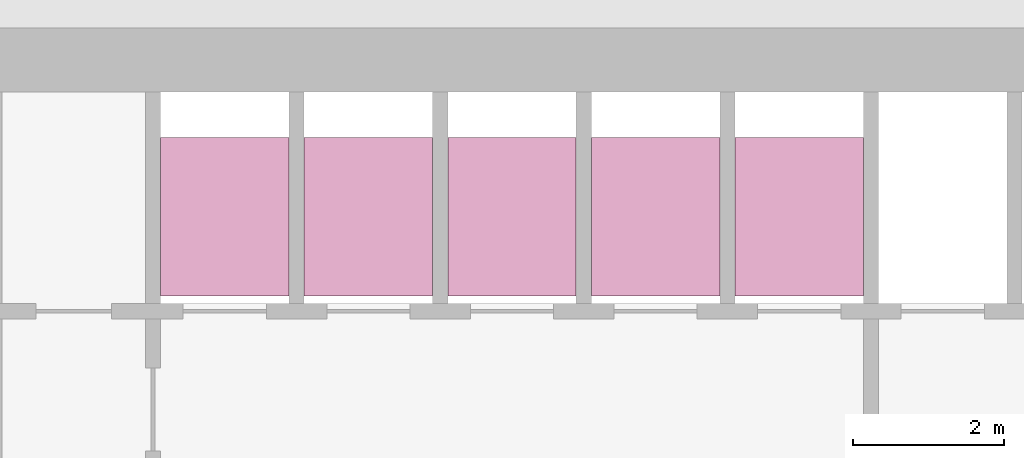
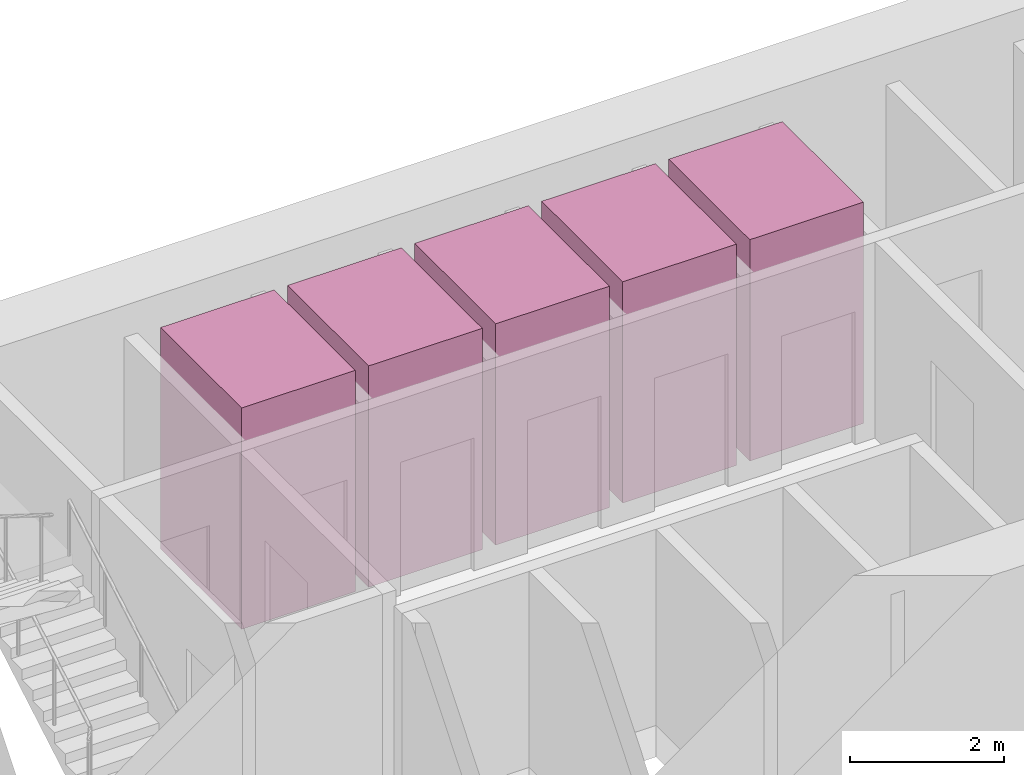
# One storey, part 14 of 14: 5 transport elements.
"""IFC4 building model written with IfcOpenShell, lengths in metres."""

from ifc_helpers import new_model, si_unit, direction, frame, origin, origin_2d, place, context, subcontext, project, spatial, rectangle, extrude, material, type_object, element, save


model = new_model("IFC4")

# Units and contexts
model_context = context("Model", 3, precision=1e-05, world=origin(), true_north=direction((0.0, 1.0)))
body_context = subcontext(model_context, "Body", "Model", "MODEL_VIEW")
ifc_project = project(units=[si_unit("LENGTHUNIT", "METRE"), si_unit("AREAUNIT", "SQUARE_METRE"), si_unit("VOLUMEUNIT", "CUBIC_METRE"), si_unit("PLANEANGLEUNIT", "RADIAN"), si_unit("MASSUNIT", "GRAM", prefix="KILO")], contexts=[model_context])

# Site, building, storey
site_placement = place(None, origin())
site = spatial("IfcSite", under=ifc_project, at=site_placement, CompositionType="ELEMENT")
building_placement = place(site_placement, origin())
building = spatial("IfcBuilding", under=site, at=building_placement, Name="Altiplano Prism Tower", CompositionType="ELEMENT")
storey_placement = place(building_placement, frame((0.0, 0.0, 111.60009765625)))
storey = spatial("IfcBuildingStorey", under=building, at=storey_placement, Name="L28", CompositionType="ELEMENT", Elevation=111.60009765625)

# Transport elements
ifc_material = material(Name="Stainless steel lift car", Category="steel")
transport_element_type = type_object("IfcTransportElementType", Name="Passenger lift car 1600 x 2100", PredefinedType="ELEVATOR", material=ifc_material)
for number, where, z_axis, x_axis, name in (
    (1, (79.050048828125, 101.75, 0.0498046875), (0.0, 0.0, 1.0), (1.0, 0.0, 0.0), "Low Zone Passenger Lift 1"),
    (2, (80.949951171875, 101.75, 0.0498046875), (0.0, 0.0, 1.0), (1.0, 0.0, 0.0), "Low Zone Passenger Lift 2"),
    (3, (82.85009765625, 101.75, 0.0498046875), (0.0, 0.0, 1.0), (1.0, 0.0, 0.0), "Low Zone Passenger Lift 3"),
    (4, (84.75, 101.75, 0.0498046875), (0.0, 0.0, 1.0), (1.0, 0.0, 0.0), "Low Zone Passenger Lift 4"),
    (5, (86.64990234375, 101.75, 0.0498046875), (0.0, 0.0, 1.0), (1.0, 0.0, 0.0), "Low Zone Passenger Lift 5"),
):
    element("IfcTransportElement", number, at=place(storey_placement, frame(where, z_axis=z_axis, x_axis=x_axis)), inside=storey, type_object=transport_element_type, Name=name, PredefinedType="ELEVATOR", context=body_context, shape_type="SweptSolid", body=[
        extrude(rectangle(XDim=1.699951171875, YDim=2.10009765625, at=origin_2d()), origin(), (0.0, 0.0, 1.0), 3.5),
    ])

save(model, "model.ifc")
